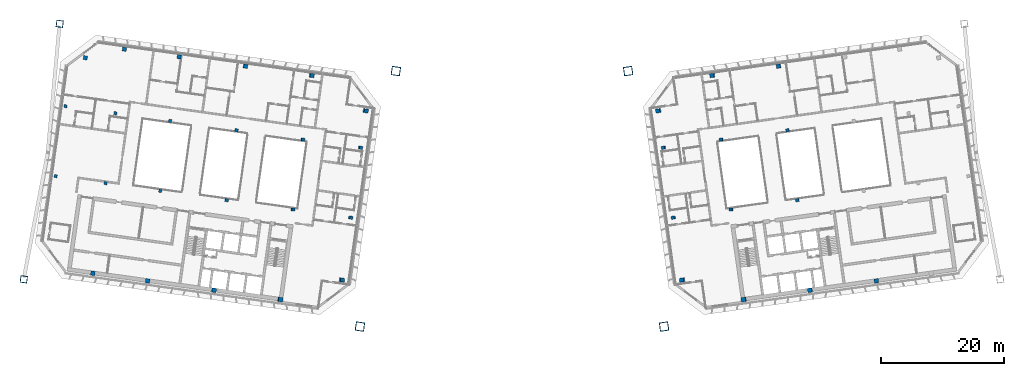
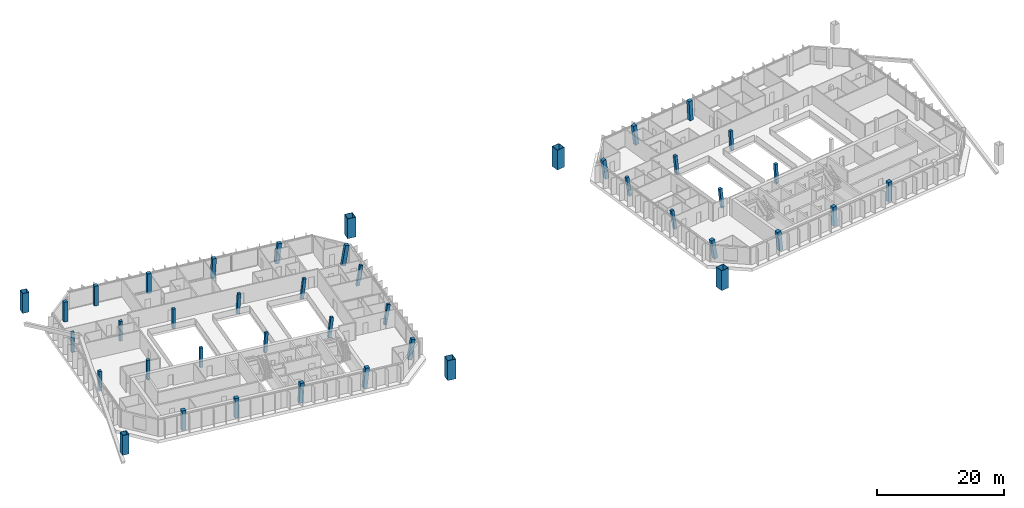
# One storey, part 1 of 23: 42 columns.
"""IFC4 building model written with IfcOpenShell, lengths in metres."""

from ifc_helpers import new_model, si_unit, direction, frame, origin, origin_2d, place, context, subcontext, project, spatial, rectangle, hollow_rectangle, extrude, material, material_profile, profile_set, type_object, element, save


model = new_model("IFC4")

# Units and contexts
model_context = context("Model", 3, precision=1e-05, world=origin(), true_north=direction((0.0, 1.0)))
body_context = subcontext(model_context, "Body", "Model", "MODEL_VIEW")
ifc_project = project(units=[si_unit("LENGTHUNIT", "METRE"), si_unit("AREAUNIT", "SQUARE_METRE"), si_unit("VOLUMEUNIT", "CUBIC_METRE"), si_unit("PLANEANGLEUNIT", "RADIAN"), si_unit("MASSUNIT", "GRAM", prefix="KILO")], contexts=[model_context])

# Site, building, storey
site_placement = place(None, origin())
site = spatial("IfcSite", under=ifc_project, at=site_placement, CompositionType="ELEMENT")
building_placement = place(site_placement, origin())
building = spatial("IfcBuilding", under=site, at=building_placement, Name="Mirante Cascada Hotel Towers", CompositionType="ELEMENT")
storey_placement = place(building_placement, frame((0.0, 0.0, 220.4)))
storey = spatial("IfcBuildingStorey", under=building, at=storey_placement, Name="L52", CompositionType="ELEMENT", Elevation=220.4)

# Columns
ifc_material_1 = material(Name="Steel ASTM A572 Gr 50", Category="steel")
ifc_material_profile_1 = material_profile(ifc_material_1, hollow_rectangle(XDim=1.1, YDim=1.1, WallThickness=0.05, at=origin_2d()), Name="Box column 1100x1100x50 ASTM A572 Gr 50")
ifc_profile_set_1 = profile_set([ifc_material_profile_1], Name="Steel ASTM A572 Gr 50")
column_type_1 = type_object("IfcColumnType", Name="Box column 1100x1100x50 ASTM A572 Gr 50", PredefinedType="COLUMN", material=ifc_profile_set_1)
for number, where, z_axis, x_axis, name in (
    (1, (-73.62, 25.3368, 0.0), (0.0, 0.0, 1.0), (-0.9902681, 0.1391731, 0.0), "Mega column MC3 T1 L52"),
    (2, (-79.4652, -16.2545, 0.0), (0.0, 0.0, 1.0), (-0.9902681, 0.1391731, 0.0), "Mega column MC4 T1 L52"),
):
    element("IfcColumn", number, at=place(storey_placement, frame(where, z_axis=z_axis, x_axis=x_axis)), inside=storey, type_object=column_type_1, Name=name, PredefinedType="COLUMN", context=body_context, shape_type="SweptSolid", body=[
        extrude(hollow_rectangle(XDim=1.1, YDim=1.1, WallThickness=0.05, at=origin_2d()), origin(), (0.0, 0.0, 1.0), 3.8),
    ])
ifc_material_2 = material(Name="Steel ASTM A572 Gr 50", Category="steel")
ifc_material_profile_2 = material_profile(ifc_material_2, hollow_rectangle(XDim=1.4, YDim=1.4, WallThickness=0.06, at=origin_2d()), Name="Box column 1400x1400x60 ASTM A572 Gr 50")
ifc_profile_set_2 = profile_set([ifc_material_profile_2], Name="Steel ASTM A572 Gr 50")
column_type_2 = type_object("IfcColumnType", Name="Box column 1400x1400x60 ASTM A572 Gr 50", PredefinedType="COLUMN", material=ifc_profile_set_2)
for number, where, z_axis, x_axis, name in (
    (3, (-18.9037, 17.6469, 0.0), (0.0, 0.0, 1.0), (-0.9902681, 0.1391731, 0.0), "Mega column MC1 T1 L52"),
    (4, (-24.749, -23.9444, 0.0), (0.0, 0.0, 1.0), (-0.9902681, 0.1391731, 0.0), "Mega column MC2 T1 L52"),
    (5, (18.9037, 17.6469, 0.0), (0.0, 0.0, 1.0), (0.9902681, 0.1391731, 0.0), "Mega column MC1 T2 L52"),
    (6, (24.749, -23.9444, 0.0), (0.0, 0.0, 1.0), (0.9902681, 0.1391731, 0.0), "Mega column MC2 T2 L52"),
):
    element("IfcColumn", number, at=place(storey_placement, frame(where, z_axis=z_axis, x_axis=x_axis)), inside=storey, type_object=column_type_2, Name=name, PredefinedType="COLUMN", context=body_context, shape_type="SweptSolid", body=[
        extrude(hollow_rectangle(XDim=1.4, YDim=1.4, WallThickness=0.06, at=origin_2d()), origin(), (0.0, 0.0, 1.0), 3.8),
    ])
ifc_material_3 = material(Name="Concrete C50/60", Category="concrete")
ifc_material_profile_3 = material_profile(ifc_material_3, rectangle(XDim=0.5, YDim=0.5, at=origin_2d()), Name="RC column 500x500 C50/60")
ifc_profile_set_3 = profile_set([ifc_material_profile_3], Name="Concrete C50/60")
column_type_3 = type_object("IfcColumnType", Name="RC column 500x500 C50/60", PredefinedType="COLUMN", material=ifc_profile_set_3)
for number, where, z_axis, x_axis, name in (
    (7, (-24.7505, 5.1894, 0.0143), (0.1571913, -0.0220867, 0.9873212), (0.1391414, 0.9902725, 0.0), "Column T1 L52 2"),
    (8, (-26.351, -6.1987, 0.0143), (0.1571913, -0.0220867, 0.9873212), (0.1391414, 0.9902725, 0.0), "Column T1 L52 3"),
):
    element("IfcColumn", number, at=place(storey_placement, frame(where, z_axis=z_axis, x_axis=x_axis)), inside=storey, type_object=column_type_3, Name=name, PredefinedType="COLUMN", context=body_context, shape_type="SweptSolid", body=[
        extrude(rectangle(XDim=0.5, YDim=0.5, at=origin_2d()), origin(), (0.0, 0.0, 1.0), 3.8304),
    ])
for number, where, z_axis, x_axis, name in (
    (9, (-34.1181, 6.5059, 0.004), (0.1117551, -0.0156955, 0.9936118), (0.1390805, 0.9902811, 0.0), "Column T1 L52 6"),
    (10, (-35.7186, -4.8822, 0.004), (0.1117551, -0.0156955, 0.9936118), (0.1390805, 0.9902811, 0.0), "Column T1 L52 7"),
):
    element("IfcColumn", number, at=place(storey_placement, frame(where, z_axis=z_axis, x_axis=x_axis)), inside=storey, type_object=column_type_3, Name=name, PredefinedType="COLUMN", context=body_context, shape_type="SweptSolid", body=[
        extrude(rectangle(XDim=0.5, YDim=0.5, at=origin_2d()), origin(), (0.0, 0.0, 1.0), 3.8164),
    ])
for number, where, z_axis, x_axis, name in (
    (11, (-44.8814, 8.0186, 0.004), (0.0561332, -0.0078987, 0.998392), (0.1393402, 0.9902446, 0.0), "Column T1 L52 10"),
    (12, (-46.4819, -3.3695, 0.004), (0.0561332, -0.0078987, 0.998392), (0.1393402, 0.9902446, 0.0), "Column T1 L52 11"),
):
    element("IfcColumn", number, at=place(storey_placement, frame(where, z_axis=z_axis, x_axis=x_axis)), inside=storey, type_object=column_type_3, Name=name, PredefinedType="COLUMN", context=body_context, shape_type="SweptSolid", body=[
        extrude(rectangle(XDim=0.5, YDim=0.5, at=origin_2d()), origin(), (0.0, 0.0, 1.0), 3.7981),
    ])
for number, where, z_axis, x_axis, name in (
    (13, (-55.6447, 9.5313, 0.0), (0.0, 0.0, 1.0), (-0.9902681, 0.1391731, 0.0), "Column T1 L52 14"),
    (14, (-57.2452, -1.8568, 0.0), (0.0, 0.0, 1.0), (-0.9902681, 0.1391731, 0.0), "Column T1 L52 15"),
    (15, (-64.5571, 10.7838, 0.0), (0.0, 0.0, 1.0), (-0.9902681, 0.1391731, 0.0), "Column T1 L52 18"),
    (16, (-66.1576, -0.6042, 0.0), (0.0, 0.0, 1.0), (-0.9902681, 0.1391731, 0.0), "Column T1 L52 19"),
    (17, (-72.6773, 11.9251, 0.0), (0.0, 0.0, 1.0), (-0.9902681, 0.1391731, 0.0), "Column T1 L52 22"),
    (18, (-74.2778, 0.537, 0.0), (0.0, 0.0, 1.0), (-0.9902681, 0.1391731, 0.0), "Column T1 L52 23"),
):
    element("IfcColumn", number, at=place(storey_placement, frame(where, z_axis=z_axis, x_axis=x_axis)), inside=storey, type_object=column_type_3, Name=name, PredefinedType="COLUMN", context=body_context, shape_type="SweptSolid", body=[
        extrude(rectangle(XDim=0.5, YDim=0.5, at=origin_2d()), origin(), (0.0, 0.0, 1.0), 3.8),
    ])
for number, where, z_axis, x_axis, name in (
    (19, (24.7505, 5.1894, 0.0143), (-0.1571913, -0.0220867, 0.9873212), (0.1391414, -0.9902725, 0.0), "Column T2 L52 2"),
    (20, (26.351, -6.1987, 0.0143), (-0.1571913, -0.0220867, 0.9873212), (0.1391414, -0.9902725, 0.0), "Column T2 L52 3"),
):
    element("IfcColumn", number, at=place(storey_placement, frame(where, z_axis=z_axis, x_axis=x_axis)), inside=storey, type_object=column_type_3, Name=name, PredefinedType="COLUMN", context=body_context, shape_type="SweptSolid", body=[
        extrude(rectangle(XDim=0.5, YDim=0.5, at=origin_2d()), origin(), (0.0, 0.0, 1.0), 3.8304),
    ])
for number, where, z_axis, x_axis, name in (
    (21, (34.1181, 6.5059, 0.004), (-0.1117551, -0.0156955, 0.9936118), (0.1390805, -0.9902811, 0.0), "Column T2 L52 6"),
    (22, (35.7186, -4.8822, 0.004), (-0.1117551, -0.0156955, 0.9936118), (0.1390805, -0.9902811, 0.0), "Column T2 L52 7"),
):
    element("IfcColumn", number, at=place(storey_placement, frame(where, z_axis=z_axis, x_axis=x_axis)), inside=storey, type_object=column_type_3, Name=name, PredefinedType="COLUMN", context=body_context, shape_type="SweptSolid", body=[
        extrude(rectangle(XDim=0.5, YDim=0.5, at=origin_2d()), origin(), (0.0, 0.0, 1.0), 3.8164),
    ])
for number, where, z_axis, x_axis, name in (
    (23, (44.8814, 8.0186, 0.004), (-0.0561332, -0.0078987, 0.998392), (0.1393402, -0.9902446, 0.0), "Column T2 L52 10"),
    (24, (46.4819, -3.3695, 0.004), (-0.0561332, -0.0078987, 0.998392), (0.1393402, -0.9902446, 0.0), "Column T2 L52 11"),
):
    element("IfcColumn", number, at=place(storey_placement, frame(where, z_axis=z_axis, x_axis=x_axis)), inside=storey, type_object=column_type_3, Name=name, PredefinedType="COLUMN", context=body_context, shape_type="SweptSolid", body=[
        extrude(rectangle(XDim=0.5, YDim=0.5, at=origin_2d()), origin(), (0.0, 0.0, 1.0), 3.7981),
    ])
ifc_material_4 = material(Name="Concrete C50/60", Category="concrete")
ifc_material_profile_4 = material_profile(ifc_material_4, rectangle(XDim=0.65, YDim=0.65, at=origin_2d()), Name="RC column 650x650 C50/60")
ifc_profile_set_4 = profile_set([ifc_material_profile_4], Name="Concrete C50/60")
column_type_4 = type_object("IfcColumnType", Name="RC column 650x650 C50/60", PredefinedType="COLUMN", material=ifc_profile_set_4)
for number, where, z_axis, x_axis, name in (
    (25, (-23.908, 11.1804, 0.0173), (0.1571856, -0.0220781, 0.9873223), (0.1390934, 0.9902793, 0.0), "Column T1 L52 1"),
    (26, (-27.777, -16.349, 0.0173), (0.1571855, -0.0221042, 0.9873217), (0.1392548, 0.9902566, 0.0), "Column T1 L52 4"),
):
    element("IfcColumn", number, at=place(storey_placement, frame(where, z_axis=z_axis, x_axis=x_axis)), inside=storey, type_object=column_type_4, Name=name, PredefinedType="COLUMN", context=body_context, shape_type="SweptSolid", body=[
        extrude(rectangle(XDim=0.65, YDim=0.65, at=origin_2d()), origin(), (0.0, 0.0, 1.0), 3.8273),
    ])
column_1_placement = place(storey_placement, frame((-32.6533, 16.9285, 0.004), z_axis=(0.1117551, -0.0157217, 0.9936114), x_axis=(0.1393082, 0.9902491, 0.0)))
element("IfcColumn", 27, at=column_1_placement, inside=storey, type_object=column_type_4, Name="Column T1 L52 5", PredefinedType="COLUMN", context=body_context, shape_type="SweptSolid", body=[
    extrude(rectangle(XDim=0.65, YDim=0.65, at=origin_2d()), origin(), (0.0, 0.0, 1.0), 3.8164),
])
column_2_placement = place(storey_placement, frame((-43.4166, 18.4412, 0.004), z_axis=(0.0561332, -0.0078987, 0.998392), x_axis=(0.1393402, 0.9902446, 0.0)))
element("IfcColumn", 28, at=column_2_placement, inside=storey, type_object=column_type_4, Name="Column T1 L52 9", PredefinedType="COLUMN", context=body_context, shape_type="SweptSolid", body=[
    extrude(rectangle(XDim=0.65, YDim=0.65, at=origin_2d()), origin(), (0.0, 0.0, 1.0), 3.7981),
])
for number, where, z_axis, x_axis, name in (
    (29, (-54.1799, 19.9538, 0.0), (0.0, 0.0, 1.0), (-0.9902681, 0.1391731, 0.0), "Column T1 L52 13"),
    (30, (-63.0923, 21.2064, 0.0), (0.0, 0.0, 1.0), (-0.9902681, 0.1391731, 0.0), "Column T1 L52 17"),
    (31, (-69.4496, 19.8025, 0.0), (0.0, 0.0, 1.0), (-0.9902681, 0.1391731, 0.0), "Column T1 L52 21"),
):
    element("IfcColumn", number, at=place(storey_placement, frame(where, z_axis=z_axis, x_axis=x_axis)), inside=storey, type_object=column_type_4, Name=name, PredefinedType="COLUMN", context=body_context, shape_type="SweptSolid", body=[
        extrude(rectangle(XDim=0.65, YDim=0.65, at=origin_2d()), origin(), (0.0, 0.0, 1.0), 3.8),
    ])
for number, where, z_axis, x_axis, name in (
    (32, (23.908, 11.1804, 0.0173), (-0.1571856, -0.0220781, 0.9873223), (0.1390934, -0.9902793, 0.0), "Column T2 L52 1"),
    (33, (27.777, -16.349, 0.0173), (-0.1571855, -0.0221042, 0.9873217), (0.1392548, -0.9902566, 0.0), "Column T2 L52 4"),
):
    element("IfcColumn", number, at=place(storey_placement, frame(where, z_axis=z_axis, x_axis=x_axis)), inside=storey, type_object=column_type_4, Name=name, PredefinedType="COLUMN", context=body_context, shape_type="SweptSolid", body=[
        extrude(rectangle(XDim=0.65, YDim=0.65, at=origin_2d()), origin(), (0.0, 0.0, 1.0), 3.8273),
    ])
column_3_placement = place(storey_placement, frame((32.6533, 16.9285, 0.004), z_axis=(-0.1117551, -0.0157217, 0.9936114), x_axis=(0.1393082, -0.9902491, 0.0)))
element("IfcColumn", 34, at=column_3_placement, inside=storey, type_object=column_type_4, Name="Column T2 L52 5", PredefinedType="COLUMN", context=body_context, shape_type="SweptSolid", body=[
    extrude(rectangle(XDim=0.65, YDim=0.65, at=origin_2d()), origin(), (0.0, 0.0, 1.0), 3.8164),
])
column_4_placement = place(storey_placement, frame((43.4166, 18.4412, 0.004), z_axis=(-0.0561332, -0.0078987, 0.998392), x_axis=(0.1393402, -0.9902446, 0.0)))
element("IfcColumn", 35, at=column_4_placement, inside=storey, type_object=column_type_4, Name="Column T2 L52 9", PredefinedType="COLUMN", context=body_context, shape_type="SweptSolid", body=[
    extrude(rectangle(XDim=0.65, YDim=0.65, at=origin_2d()), origin(), (0.0, 0.0, 1.0), 3.7981),
])
ifc_material_5 = material(Name="Concrete C50/60", Category="concrete")
ifc_material_profile_5 = material_profile(ifc_material_5, rectangle(XDim=0.7, YDim=0.7, at=origin_2d()), Name="RC column 700x700 C50/60")
ifc_profile_set_5 = profile_set([ifc_material_profile_5], Name="Concrete C50/60")
column_type_5 = type_object("IfcColumnType", Name="RC column 700x700 C50/60", PredefinedType="COLUMN", material=ifc_profile_set_5)
column_5_placement = place(storey_placement, frame((-37.7784, -19.5381, 0.004), z_axis=(0.111781, -0.0157217, 0.9936085), x_axis=(0.1392762, 0.9902536, 0.0)))
element("IfcColumn", 36, at=column_5_placement, inside=storey, type_object=column_type_5, Name="Column T1 L52 8", PredefinedType="COLUMN", context=body_context, shape_type="SweptSolid", body=[
    extrude(rectangle(XDim=0.7, YDim=0.7, at=origin_2d()), origin(), (0.0, 0.0, 1.0), 3.8164),
])
column_6_placement = place(storey_placement, frame((-48.5417, -18.0255, 0.004), z_axis=(0.0561595, -0.0078723, 0.9983908), x_axis=(0.1388209, 0.9903175, 0.0)))
element("IfcColumn", 37, at=column_6_placement, inside=storey, type_object=column_type_5, Name="Column T1 L52 12", PredefinedType="COLUMN", context=body_context, shape_type="SweptSolid", body=[
    extrude(rectangle(XDim=0.7, YDim=0.7, at=origin_2d()), origin(), (0.0, 0.0, 1.0), 3.7981),
])
for number, where, z_axis, x_axis, name in (
    (38, (-59.305, -16.5128, 0.0), (0.0, 0.0, 1.0), (-0.9902681, 0.1391731, 0.0), "Column T1 L52 16"),
    (39, (-68.2174, -15.2602, 0.0), (0.0, 0.0, 1.0), (-0.9902681, 0.1391731, 0.0), "Column T1 L52 20"),
):
    element("IfcColumn", number, at=place(storey_placement, frame(where, z_axis=z_axis, x_axis=x_axis)), inside=storey, type_object=column_type_5, Name=name, PredefinedType="COLUMN", context=body_context, shape_type="SweptSolid", body=[
        extrude(rectangle(XDim=0.7, YDim=0.7, at=origin_2d()), origin(), (0.0, 0.0, 1.0), 3.8),
    ])
column_7_placement = place(storey_placement, frame((37.7784, -19.5381, 0.004), z_axis=(-0.111781, -0.0157217, 0.9936085), x_axis=(0.1392762, -0.9902536, 0.0)))
element("IfcColumn", 40, at=column_7_placement, inside=storey, type_object=column_type_5, Name="Column T2 L52 8", PredefinedType="COLUMN", context=body_context, shape_type="SweptSolid", body=[
    extrude(rectangle(XDim=0.7, YDim=0.7, at=origin_2d()), origin(), (0.0, 0.0, 1.0), 3.8164),
])
column_8_placement = place(storey_placement, frame((48.5417, -18.0255, 0.004), z_axis=(-0.0561595, -0.0078723, 0.9983908), x_axis=(0.1388209, -0.9903175, 0.0)))
element("IfcColumn", 41, at=column_8_placement, inside=storey, type_object=column_type_5, Name="Column T2 L52 12", PredefinedType="COLUMN", context=body_context, shape_type="SweptSolid", body=[
    extrude(rectangle(XDim=0.7, YDim=0.7, at=origin_2d()), origin(), (0.0, 0.0, 1.0), 3.7981),
])
column_9_placement = place(storey_placement, frame((59.305, -16.5128, 0.0), z_axis=(0.0, 0.0, 1.0), x_axis=(0.9902681, 0.1391731, 0.0)))
element("IfcColumn", 42, at=column_9_placement, inside=storey, type_object=column_type_5, Name="Column T2 L52 16", PredefinedType="COLUMN", context=body_context, shape_type="SweptSolid", body=[
    extrude(rectangle(XDim=0.7, YDim=0.7, at=origin_2d()), origin(), (0.0, 0.0, 1.0), 3.8),
])

save(model, "model.ifc")
